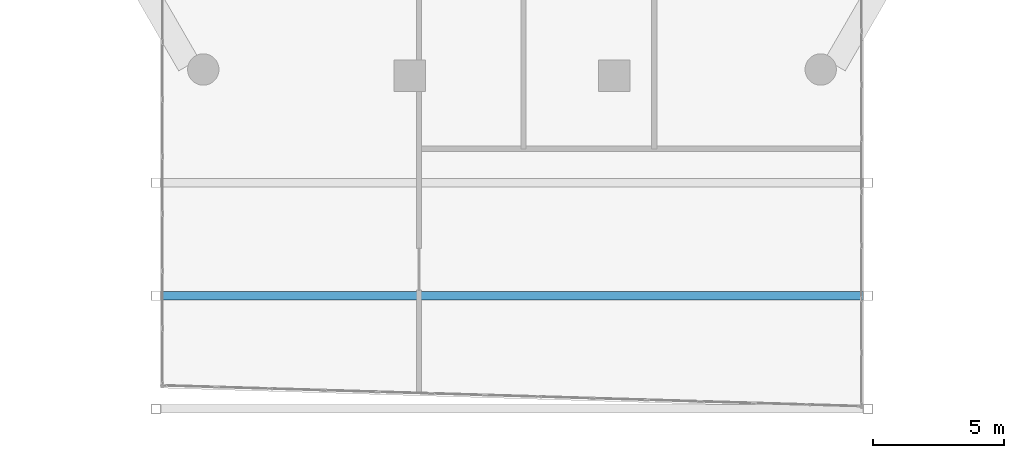
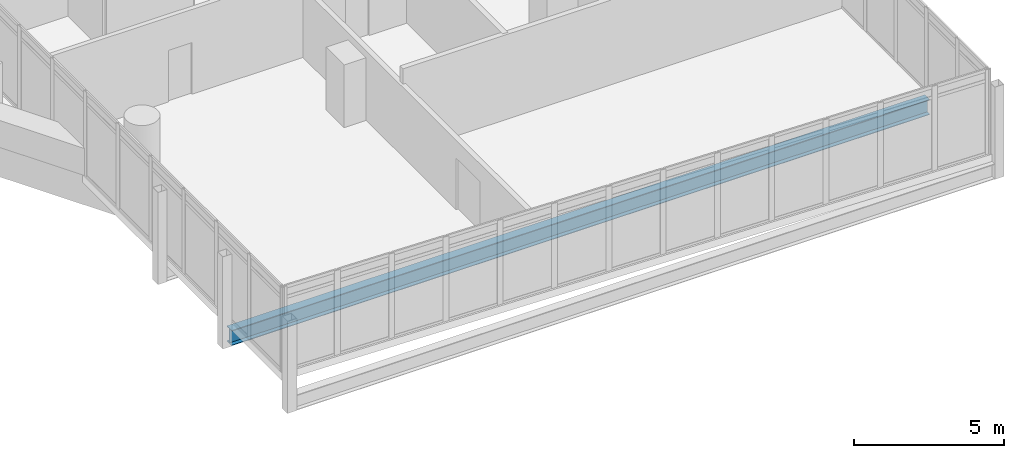
# One storey, part 6 of 28: 1 beam.
"""IFC4 building model written with IfcOpenShell, lengths in metres."""

import ifcopenshell
import ifcopenshell.guid

model = None  # the IFC model being written
_history = None  # IfcOwnerHistory: only IFC2X3 demands one
_inside = {}  # id of a spatial element -> (the spatial element, [elements in it])
_under = {}  # id of a project, library or spatial element -> (it, [spatial elements below it])
_declared = {}  # id of a project -> (the project, [libraries it declares])
_typed = {}  # id of a type object -> (the type object, [elements of that type])
_made_of = {}  # id of a material, layer set ... -> (it, [elements and type objects made of it])


def new_model(schema):
    """Start an empty IFC model of exactly this schema.

    Asked for "IFC4X3", IfcOpenShell would pick the latest addendum, in which some entities
    have other attributes; the version numbers below select the first issue.
    IFC2X3 requires an IfcOwnerHistory on every rooted entity: one is made here for all.
    """
    global model, _history
    if schema == "IFC4X3":
        model = ifcopenshell.file(schema_version=(4, 3, 0, 0))
    else:
        model = ifcopenshell.file(schema=schema)
    _inside.clear()
    _under.clear()
    _declared.clear()
    _typed.clear()
    _made_of.clear()
    _history = None
    if model.schema == "IFC2X3":
        org = make("IfcOrganization", Name="unknown")
        user = make(
            "IfcPersonAndOrganization",
            ThePerson=make("IfcPerson", FamilyName="unknown"),
            TheOrganization=org,
        )
        app = make(
            "IfcApplication",
            ApplicationDeveloper=org,
            Version="unknown",
            ApplicationFullName="unknown",
            ApplicationIdentifier="unknown",
        )
        _history = make(
            "IfcOwnerHistory",
            OwningUser=user,
            OwningApplication=app,
            ChangeAction="ADDED",
            CreationDate=0,
        )
    return model


def make(cls, **values):
    """One entity of the class cls with the attributes given. An attribute that is None is left unset."""
    return model.create_entity(
        cls, **{name: value for name, value in values.items() if value is not None}
    )


def rooted(cls, **values):
    """An entity with a GlobalId (a new one), such as an element, a storey or a relation."""
    return make(cls, GlobalId=ifcopenshell.guid.new(), OwnerHistory=_history, **values)


def si_unit(unit_type, name, prefix=None):
    """IfcSIUnit, for example si_unit("LENGTHUNIT", "METRE", prefix="MILLI")."""
    return make("IfcSIUnit", UnitType=unit_type, Prefix=prefix, Name=name)


def assignment(units):
    """IfcUnitAssignment: the units of a project."""
    return None if units is None else make("IfcUnitAssignment", Units=units)


def point(xyz):
    """IfcCartesianPoint."""
    return None if xyz is None else make("IfcCartesianPoint", Coordinates=xyz)


def direction(xyz):
    """IfcDirection."""
    return None if xyz is None else make("IfcDirection", DirectionRatios=xyz)


def frame(location, z_axis=None, x_axis=None):
    """IfcAxis2Placement3D, a coordinate frame: its origin and axes. An axis left out is left unset."""
    return make(
        "IfcAxis2Placement3D",
        Location=point(location),
        Axis=direction(z_axis),
        RefDirection=direction(x_axis),
    )


def frame_2d(location, x_axis=None):
    """IfcAxis2Placement2D, a coordinate frame in the plane: its origin and x axis."""
    return make(
        "IfcAxis2Placement2D", Location=point(location), RefDirection=direction(x_axis)
    )


def origin():
    """The frame at (0, 0, 0) with its axes left unset."""
    return frame((0.0, 0.0, 0.0))


def origin_2d():
    """The frame at (0, 0) in the plane with its x axis left unset."""
    return frame_2d((0.0, 0.0))


def place(relative_to, where):
    """IfcLocalPlacement: puts the frame where relative to a parent placement (None: the world)."""
    return make(
        "IfcLocalPlacement", PlacementRelTo=relative_to, RelativePlacement=where
    )


def context(
    kind, dimensions, precision=None, world=None, true_north=None, identifier=None
):
    """IfcGeometricRepresentationContext, for example the 3D "Model" context."""
    return make(
        "IfcGeometricRepresentationContext",
        ContextIdentifier=identifier,
        ContextType=kind,
        CoordinateSpaceDimension=dimensions,
        Precision=precision,
        WorldCoordinateSystem=world,
        TrueNorth=true_north,
    )


def subcontext(parent, identifier, kind, view, scale=None):
    """IfcGeometricRepresentationSubContext, for example "Body" below "Model"."""
    return make(
        "IfcGeometricRepresentationSubContext",
        ContextIdentifier=identifier,
        ContextType=kind,
        ParentContext=parent,
        TargetScale=scale,
        TargetView=view,
    )


def project(units=None, contexts=None):
    """IfcProject with its units and contexts."""
    return rooted(
        "IfcProject",
        Name="project",
        RepresentationContexts=contexts,
        UnitsInContext=assignment(units),
    )


def spatial(cls, under=None, at=None, **own):
    """A site, building, storey or space (cls), placed at a placement, below another one or the project."""
    s = rooted(cls, ObjectPlacement=at, **own)
    if under is not None:
        _under.setdefault(under.id(), (under, []))[1].append(s)
    return s


def profile(cls, at=None, kind="AREA", **sizes):
    """A parametric profile (cls). Its sizes go by their IFC names, for example OverallWidth=200.0."""
    return make(cls, ProfileType=kind, Position=at, **sizes)


def i_section(**sizes):
    """IfcIShapeProfileDef."""
    return profile("IfcIShapeProfileDef", **sizes)


def extrude(swept, where, along, depth):
    """IfcExtrudedAreaSolid: the profile swept, set in the frame where, extruded along a direction by depth."""
    return make(
        "IfcExtrudedAreaSolid",
        SweptArea=swept,
        Position=where,
        ExtrudedDirection=direction(along),
        Depth=depth,
    )


def shape(context_of_items, identifier, shape_type, items):
    """IfcShapeRepresentation: the items that make up one representation, for example the "Body"."""
    return make(
        "IfcShapeRepresentation",
        ContextOfItems=context_of_items,
        RepresentationIdentifier=identifier,
        RepresentationType=shape_type,
        Items=items,
    )


def material(Name=None, Category=None):
    """IfcMaterial."""
    return make("IfcMaterial", Name=Name, Category=Category)


def material_profile(
    of_material, cross_section, Name=None, Category=None, Priority=None
):
    """IfcMaterialProfile: a cross section and its material."""
    return make(
        "IfcMaterialProfile",
        Name=Name,
        Material=of_material,
        Profile=cross_section,
        Priority=Priority,
        Category=Category,
    )


def profile_set(profiles, Name=None, composite=None):
    """IfcMaterialProfileSet."""
    return make(
        "IfcMaterialProfileSet",
        Name=Name,
        MaterialProfiles=profiles,
        CompositeProfile=composite,
    )


def made_of(thing, what):
    """Note that an element or type object is made of a material, layer set ...; save() writes the relation."""
    if what is not None:
        _made_of.setdefault(what.id(), (what, []))[1].append(thing)
    return thing


def type_object(cls, material=None, **own):
    """A type object (cls), such as IfcWallType, which elements share."""
    return made_of(rooted(cls, **own), material)


def element(
    cls,
    number,
    at=None,
    inside=None,
    cuts=None,
    type_object=None,
    material=None,
    context=None,
    identifier="Body",
    shape_type=None,
    held_by="IfcProductDefinitionShape",
    body=None,
    shapes=None,
    **own,
):
    """One element of the class cls, such as IfcWall. Its Tag is "e" and its number.

    at: its placement. inside: the storey or other place that contains it. cuts: it is an
    opening in that element (IfcRelVoidsElement). A single representation is given by context,
    identifier, shape_type and body (its items); several are given by shapes. held_by: the class
    of the entity that holds the representations. save() writes the other relations.
    """
    e = rooted(cls, Tag="e%d" % number, ObjectPlacement=at, **own)
    if body is not None:
        shapes = [shape(context, identifier, shape_type, body)]
    if shapes is not None:
        e.Representation = make(held_by, Representations=shapes)
    if inside is not None:
        _inside.setdefault(inside.id(), (inside, []))[1].append(e)
    if cuts is not None:
        rooted(
            "IfcRelVoidsElement", RelatingBuildingElement=cuts, RelatedOpeningElement=e
        )
    if type_object is not None:
        _typed.setdefault(type_object.id(), (type_object, []))[1].append(e)
    return made_of(e, material)


def aggregate(whole, parts):
    """IfcRelAggregates: a whole, such as a stair, and the parts it consists of."""
    return rooted("IfcRelAggregates", RelatingObject=whole, RelatedObjects=parts)


def save(model, path):
    """Write the relations noted so far, then the file.

    IfcRelAggregates (storeys below a building ...), IfcRelContainedInSpatialStructure (elements
    in a storey), IfcRelDefinesByType, IfcRelAssociatesMaterial and IfcRelDeclares: one each for
    every whole, place, type object, material and project.
    """
    for whole, parts in _under.values():
        aggregate(whole, parts)
    for where, things in _inside.values():
        rooted(
            "IfcRelContainedInSpatialStructure",
            RelatedElements=things,
            RelatingStructure=where,
        )
    for kind, things in _typed.values():
        rooted("IfcRelDefinesByType", RelatedObjects=things, RelatingType=kind)
    for what, things in _made_of.values():
        rooted("IfcRelAssociatesMaterial", RelatedObjects=things, RelatingMaterial=what)
    for by, libraries in _declared.values():
        rooted("IfcRelDeclares", RelatingContext=by, RelatedDefinitions=libraries)
    model.write(path)


model = new_model("IFC4")

# Units and contexts
model_context = context("Model", 3, precision=1e-05, world=origin(), true_north=direction((0.0, 1.0)))
body_context = subcontext(model_context, "Body", "Model", "MODEL_VIEW")
ifc_project = project(units=[si_unit("LENGTHUNIT", "METRE"), si_unit("AREAUNIT", "SQUARE_METRE"), si_unit("VOLUMEUNIT", "CUBIC_METRE"), si_unit("PLANEANGLEUNIT", "RADIAN"), si_unit("MASSUNIT", "GRAM", prefix="KILO")], contexts=[model_context])

# Site, building, storey
site_placement = place(None, origin())
site = spatial("IfcSite", under=ifc_project, at=site_placement, CompositionType="ELEMENT")
building_placement = place(site_placement, origin())
building = spatial("IfcBuilding", under=site, at=building_placement, Name="Ostrander Bayou Hotel Tower", CompositionType="ELEMENT")
storey_placement = place(building_placement, frame((0.0, 0.0, 134.75)))
storey = spatial("IfcBuildingStorey", under=building, at=storey_placement, Name="L33", CompositionType="ELEMENT", Elevation=134.75)

# Beam
ifc_material = material(Name="Steel ASTM A992", Category="steel")
ifc_material_profile = material_profile(ifc_material, i_section(OverallWidth=0.32763671875, OverallDepth=0.621826171875, WebThickness=0.015380859375, FlangeThickness=0.0244140625, at=origin_2d()))
ifc_profile_set = profile_set([ifc_material_profile], Name="Steel ASTM A992")
beam_type = type_object("IfcBeamType", Name="TF1 bar floor beam W24x131", PredefinedType="BEAM", material=ifc_profile_set)
beam_placement = place(storey_placement, frame((-13.442138671875, -27.122314453125, -0.61083984375), z_axis=(1.0, 0.0, 0.0), x_axis=(0.0, 1.0, 0.0)))
element("IfcBeam", 1, at=beam_placement, inside=storey, type_object=beam_type, Name="TF1 SB3S L2-2", PredefinedType="BEAM", context=body_context, shape_type="SweptSolid", body=[
    extrude(i_section(OverallWidth=0.32763671875, OverallDepth=0.621826171875, WebThickness=0.015380859375, FlangeThickness=0.0244140625, at=origin_2d()), origin(), (0.0, 0.0, 1.0), 26.88427734375),
])

save(model, "model.ifc")
